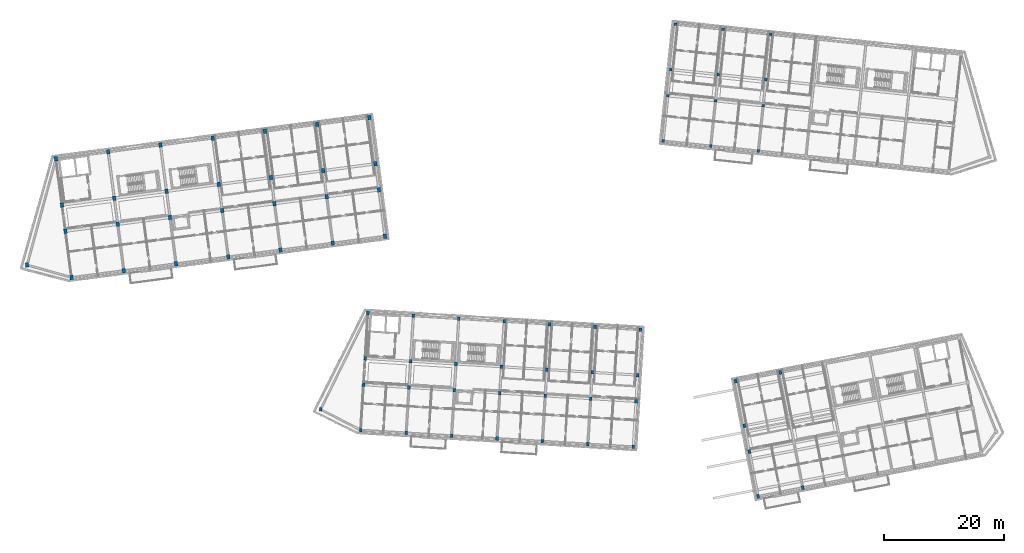
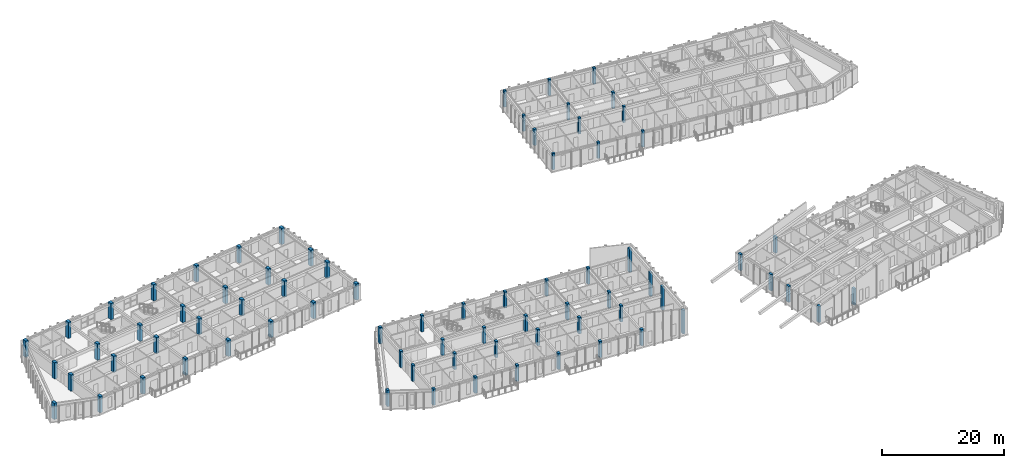
# One storey, part 1 of 64: 76 columns.
"""IFC4 building model written with IfcOpenShell, lengths in metres."""

from ifc_helpers import new_model, si_unit, direction, frame, origin, origin_2d, place, context, subcontext, project, spatial, rectangle, extrude, material, material_profile, profile_set, type_object, element, save


model = new_model("IFC4")

# Units and contexts
model_context = context("Model", 3, precision=1e-05, world=origin(), true_north=direction((0.0, 1.0)))
body_context = subcontext(model_context, "Body", "Model", "MODEL_VIEW")
ifc_project = project(units=[si_unit("LENGTHUNIT", "METRE"), si_unit("AREAUNIT", "SQUARE_METRE"), si_unit("VOLUMEUNIT", "CUBIC_METRE"), si_unit("PLANEANGLEUNIT", "RADIAN"), si_unit("MASSUNIT", "GRAM", prefix="KILO")], contexts=[model_context])

# Site, building, storey
site_placement = place(None, origin())
site = spatial("IfcSite", under=ifc_project, at=site_placement, CompositionType="ELEMENT")
building_placement = place(site_placement, origin())
building = spatial("IfcBuilding", under=site, at=building_placement, Name="Kestramere Prow Commons", CompositionType="ELEMENT")
storey_placement = place(building_placement, frame((0.0, 0.0, 24.64990234375)))
storey = spatial("IfcBuildingStorey", under=building, at=storey_placement, Name="L07", CompositionType="ELEMENT", Elevation=24.64990234375)

# Columns
ifc_material = material(Name="Precast concrete C40/50", Category="concrete")
ifc_material_profile_1 = material_profile(ifc_material, rectangle(XDim=0.550048828125, YDim=0.75, at=origin_2d()), Name="PC-COL 550x750")
ifc_profile_set_1 = profile_set([ifc_material_profile_1], Name="Precast concrete C40/50")
column_type_1 = type_object("IfcColumnType", Name="C-A2 PC-COL 550x750", PredefinedType="COLUMN", material=ifc_profile_set_1)
for number, where, z_axis, x_axis, name in (
    (1, (11.199951171875, 72.0, 0.0), (0.0, 0.0, 1.0), (0.991444861374, 0.13052619222, 0.0), "Block A L07 Column 1-1"),
    (2, (10.181884765625, 79.733154296875, 0.0), (0.0, 0.0, 1.0), (0.991444861374, 0.13052619222, 0.0), "Block A L07 Column 1-2"),
    (3, (9.607666015625, 84.095703125, 0.0), (0.0, 0.0, 1.0), (0.991444861374, 0.13052619222, 0.0), "Block A L07 Column 1-3"),
    (4, (8.58935546875, 91.828857421875, 0.0), (0.0, 0.0, 1.0), (0.991444861374, 0.13052619222, 0.0), "Block A L07 Column 1-4"),
    (5, (19.9248046875, 73.148681640625, 0.0), (0.0, 0.0, 1.0), (0.991444861374, 0.13052619222, 0.0), "Block A L07 Column 2-1"),
    (6, (18.906494140625, 80.8818359375, 0.0), (0.0, 0.0, 1.0), (0.991444861374, 0.13052619222, 0.0), "Block A L07 Column 2-2"),
    (7, (18.332275390625, 85.244140625, 0.0), (0.0, 0.0, 1.0), (0.991444861374, 0.13052619222, 0.0), "Block A L07 Column 2-3"),
    (8, (17.314208984375, 92.9775390625, 0.0), (0.0, 0.0, 1.0), (0.991444861374, 0.13052619222, 0.0), "Block A L07 Column 2-4"),
    (9, (28.6494140625, 74.29736328125, 0.0), (0.0, 0.0, 1.0), (0.991444861374, 0.13052619222, 0.0), "Block A L07 Column 3-1"),
    (10, (27.63134765625, 82.030517578125, 0.0), (0.0, 0.0, 1.0), (0.991444861374, 0.13052619222, 0.0), "Block A L07 Column 3-2"),
    (11, (27.05712890625, 86.392822265625, 0.0), (0.0, 0.0, 1.0), (0.991444861374, 0.13052619222, 0.0), "Block A L07 Column 3-3"),
    (12, (26.038818359375, 94.126220703125, 0.0), (0.0, 0.0, 1.0), (0.991444861374, 0.13052619222, 0.0), "Block A L07 Column 3-4"),
    (13, (37.3740234375, 75.44580078125, 0.0), (0.0, 0.0, 1.0), (0.991444861374, 0.13052619222, 0.0), "Block A L07 Column 4-1"),
    (14, (36.35595703125, 83.17919921875, 0.0), (0.0, 0.0, 1.0), (0.991444861374, 0.13052619222, 0.0), "Block A L07 Column 4-2"),
    (15, (35.78173828125, 87.54150390625, 0.0), (0.0, 0.0, 1.0), (0.991444861374, 0.13052619222, 0.0), "Block A L07 Column 4-3"),
    (16, (34.763671875, 95.27490234375, 0.0), (0.0, 0.0, 1.0), (0.991444861374, 0.13052619222, 0.0), "Block A L07 Column 4-4"),
    (17, (46.098876953125, 76.594482421875, 0.0), (0.0, 0.0, 1.0), (0.991444861374, 0.13052619222, 0.0), "Block A L07 Column 5-1"),
    (18, (45.080810546875, 84.327880859375, 0.0), (0.0, 0.0, 1.0), (0.991444861374, 0.13052619222, 0.0), "Block A L07 Column 5-2"),
    (19, (44.50634765625, 88.690185546875, 0.0), (0.0, 0.0, 1.0), (0.991444861374, 0.13052619222, 0.0), "Block A L07 Column 5-3"),
    (20, (43.48828125, 96.42333984375, 0.0), (0.0, 0.0, 1.0), (0.991444861374, 0.13052619222, 0.0), "Block A L07 Column 5-4"),
    (21, (54.823486328125, 77.7431640625, 0.0), (0.0, 0.0, 1.0), (0.991444861374, 0.13052619222, 0.0), "Block A L07 Column 6-1"),
    (22, (53.805419921875, 85.476318359375, 0.0), (0.0, 0.0, 1.0), (0.991444861374, 0.13052619222, 0.0), "Block A L07 Column 6-2"),
    (23, (53.231201171875, 89.8388671875, 0.0), (0.0, 0.0, 1.0), (0.991444861374, 0.13052619222, 0.0), "Block A L07 Column 6-3"),
    (24, (52.213134765625, 97.572021484375, 0.0), (0.0, 0.0, 1.0), (0.991444861374, 0.13052619222, 0.0), "Block A L07 Column 6-4"),
    (25, (63.54833984375, 78.891845703125, 0.0), (0.0, 0.0, 1.0), (0.991444861374, 0.13052619222, 0.0), "Block A L07 Column 7-1"),
    (26, (62.5302734375, 86.625, 0.0), (0.0, 0.0, 1.0), (0.991444861374, 0.13052619222, 0.0), "Block A L07 Column 7-2"),
    (27, (61.955810546875, 90.9873046875, 0.0), (0.0, 0.0, 1.0), (0.991444861374, 0.13052619222, 0.0), "Block A L07 Column 7-3"),
    (28, (60.937744140625, 98.720703125, 0.0), (0.0, 0.0, 1.0), (0.991444861374, 0.13052619222, 0.0), "Block A L07 Column 7-4"),
    (29, (3.7626953125, 74.09716796875, 0.0), (0.0, 0.0, 1.0), (0.991444861374, 0.13052619222, 0.0), "Block A L07 Prow Apex Column"),
):
    element("IfcColumn", number, at=place(storey_placement, frame(where, z_axis=z_axis, x_axis=x_axis)), inside=storey, type_object=column_type_1, Name=name, PredefinedType="COLUMN", context=body_context, shape_type="SweptSolid", body=[
        extrude(rectangle(XDim=0.550048828125, YDim=0.75, at=origin_2d()), origin(), (0.0, 0.0, 1.0), 3.25),
    ])
ifc_material_profile_2 = material_profile(ifc_material, rectangle(XDim=0.449951171875, YDim=0.449951171875, at=origin_2d()), Name="PC-COL 450x450")
ifc_profile_set_2 = profile_set([ifc_material_profile_2], Name="Precast concrete C40/50")
column_type_2 = type_object("IfcColumnType", Name="C-B3 PC-COL 450x450", PredefinedType="COLUMN", material=ifc_profile_set_2)
for number, where, z_axis, x_axis, name in (
    (30, (110.0, 94.800048828125, 0.0), (0.0, 0.0, 1.0), (0.994521895368, -0.104528463268, 0.0), "Block B L07 Column 1-1"),
    (31, (110.79443359375, 102.3583984375, 0.0), (0.0, 0.0, 1.0), (0.994521895368, -0.104528463268, 0.0), "Block B L07 Column 1-2"),
    (32, (111.25439453125, 106.734375, 0.0), (0.0, 0.0, 1.0), (0.994521895368, -0.104528463268, 0.0), "Block B L07 Column 1-3"),
    (33, (112.048828125, 114.292724609375, 0.0), (0.0, 0.0, 1.0), (0.994521895368, -0.104528463268, 0.0), "Block B L07 Column 1-4"),
    (34, (117.9560546875, 93.9638671875, 0.0), (0.0, 0.0, 1.0), (0.994521895368, -0.104528463268, 0.0), "Block B L07 Column 2-1"),
    (35, (118.75048828125, 101.522216796875, 0.0), (0.0, 0.0, 1.0), (0.994521895368, -0.104528463268, 0.0), "Block B L07 Column 2-2"),
    (36, (119.21044921875, 105.89794921875, 0.0), (0.0, 0.0, 1.0), (0.994521895368, -0.104528463268, 0.0), "Block B L07 Column 2-3"),
    (37, (120.0048828125, 113.456298828125, 0.0), (0.0, 0.0, 1.0), (0.994521895368, -0.104528463268, 0.0), "Block B L07 Column 2-4"),
    (38, (125.912353515625, 93.12744140625, 0.0), (0.0, 0.0, 1.0), (0.994521895368, -0.104528463268, 0.0), "Block B L07 Column 3-1"),
    (39, (126.706787109375, 100.685791015625, 0.0), (0.0, 0.0, 1.0), (0.994521895368, -0.104528463268, 0.0), "Block B L07 Column 3-2"),
    (40, (127.166748046875, 105.061767578125, 0.0), (0.0, 0.0, 1.0), (0.994521895368, -0.104528463268, 0.0), "Block B L07 Column 3-3"),
    (41, (127.961181640625, 112.6201171875, 0.0), (0.0, 0.0, 1.0), (0.994521895368, -0.104528463268, 0.0), "Block B L07 Column 3-4"),
):
    element("IfcColumn", number, at=place(storey_placement, frame(where, z_axis=z_axis, x_axis=x_axis)), inside=storey, type_object=column_type_2, Name=name, PredefinedType="COLUMN", context=body_context, shape_type="SweptSolid", body=[
        extrude(rectangle(XDim=0.449951171875, YDim=0.449951171875, at=origin_2d()), origin(), (0.0, 0.0, 1.0), 3.25),
    ])
ifc_material_profile_3 = material_profile(ifc_material, rectangle(XDim=0.449951171875, YDim=0.60009765625, at=origin_2d()), Name="PC-COL 450x600")
ifc_profile_set_3 = profile_set([ifc_material_profile_3], Name="Precast concrete C40/50")
column_type_3 = type_object("IfcColumnType", Name="C-C3 PC-COL 450x600", PredefinedType="COLUMN", material=ifc_profile_set_3)
for number, where, z_axis, x_axis, name in (
    (42, (59.5, 46.5, 0.0), (0.0, 0.0, 1.0), (0.998134798422, -0.061048539535, 0.0), "Block C L07 Column 1-1"),
    (43, (59.9638671875, 54.0859375, 0.0), (0.0, 0.0, 1.0), (0.998134798422, -0.061048539535, 0.0), "Block C L07 Column 1-2"),
    (44, (60.232666015625, 58.4775390625, 0.0), (0.0, 0.0, 1.0), (0.998134798422, -0.061048539535, 0.0), "Block C L07 Column 1-3"),
    (45, (60.696533203125, 66.0634765625, 0.0), (0.0, 0.0, 1.0), (0.998134798422, -0.061048539535, 0.0), "Block C L07 Column 1-4"),
    (46, (67.0859375, 46.0361328125, 0.0), (0.0, 0.0, 1.0), (0.998134798422, -0.061048539535, 0.0), "Block C L07 Column 2-1"),
    (47, (67.5498046875, 53.621826171875, 0.0), (0.0, 0.0, 1.0), (0.998134798422, -0.061048539535, 0.0), "Block C L07 Column 2-2"),
    (48, (67.818359375, 58.013671875, 0.0), (0.0, 0.0, 1.0), (0.998134798422, -0.061048539535, 0.0), "Block C L07 Column 2-3"),
    (49, (68.282470703125, 65.599365234375, 0.0), (0.0, 0.0, 1.0), (0.998134798422, -0.061048539535, 0.0), "Block C L07 Column 2-4"),
    (50, (74.671630859375, 45.572021484375, 0.0), (0.0, 0.0, 1.0), (0.998134798422, -0.061048539535, 0.0), "Block C L07 Column 3-1"),
    (51, (75.135498046875, 53.157958984375, 0.0), (0.0, 0.0, 1.0), (0.998134798422, -0.061048539535, 0.0), "Block C L07 Column 3-2"),
    (52, (75.404296875, 57.549560546875, 0.0), (0.0, 0.0, 1.0), (0.998134798422, -0.061048539535, 0.0), "Block C L07 Column 3-3"),
    (53, (75.8681640625, 65.135498046875, 0.0), (0.0, 0.0, 1.0), (0.998134798422, -0.061048539535, 0.0), "Block C L07 Column 3-4"),
    (54, (82.257568359375, 45.108154296875, 0.0), (0.0, 0.0, 1.0), (0.998134798422, -0.061048539535, 0.0), "Block C L07 Column 4-1"),
    (55, (82.721435546875, 52.69384765625, 0.0), (0.0, 0.0, 1.0), (0.998134798422, -0.061048539535, 0.0), "Block C L07 Column 4-2"),
    (56, (82.989990234375, 57.085693359375, 0.0), (0.0, 0.0, 1.0), (0.998134798422, -0.061048539535, 0.0), "Block C L07 Column 4-3"),
    (57, (83.4541015625, 64.671630859375, 0.0), (0.0, 0.0, 1.0), (0.998134798422, -0.061048539535, 0.0), "Block C L07 Column 4-4"),
    (58, (89.84326171875, 44.64404296875, 0.0), (0.0, 0.0, 1.0), (0.998134798422, -0.061048539535, 0.0), "Block C L07 Column 5-1"),
    (59, (90.307373046875, 52.22998046875, 0.0), (0.0, 0.0, 1.0), (0.998134798422, -0.061048539535, 0.0), "Block C L07 Column 5-2"),
    (60, (90.575927734375, 56.621826171875, 0.0), (0.0, 0.0, 1.0), (0.998134798422, -0.061048539535, 0.0), "Block C L07 Column 5-3"),
    (61, (91.039794921875, 64.20751953125, 0.0), (0.0, 0.0, 1.0), (0.998134798422, -0.061048539535, 0.0), "Block C L07 Column 5-4"),
    (62, (97.42919921875, 44.18017578125, 0.0), (0.0, 0.0, 1.0), (0.998134798422, -0.061048539535, 0.0), "Block C L07 Column 6-1"),
    (63, (97.89306640625, 51.765869140625, 0.0), (0.0, 0.0, 1.0), (0.998134798422, -0.061048539535, 0.0), "Block C L07 Column 6-2"),
    (64, (98.16162109375, 56.15771484375, 0.0), (0.0, 0.0, 1.0), (0.998134798422, -0.061048539535, 0.0), "Block C L07 Column 6-3"),
    (65, (98.625732421875, 63.74365234375, 0.0), (0.0, 0.0, 1.0), (0.998134798422, -0.061048539535, 0.0), "Block C L07 Column 6-4"),
):
    element("IfcColumn", number, at=place(storey_placement, frame(where, z_axis=z_axis, x_axis=x_axis)), inside=storey, type_object=column_type_3, Name=name, PredefinedType="COLUMN", context=body_context, shape_type="SweptSolid", body=[
        extrude(rectangle(XDim=0.449951171875, YDim=0.60009765625, at=origin_2d()), origin(), (0.0, 0.0, 1.0), 3.25),
    ])
for number, where, z_axis, x_axis, name in (
    (66, (105.014892578125, 43.71630859375, 0.0), (0.0, 0.0, 1.0), (0.998134798422, -0.061048539535, 0.0), "Block C L07 Column 7-1"),
    (67, (105.47900390625, 51.302001953125, 0.0), (0.0, 0.0, 1.0), (0.998134798422, -0.061048539535, 0.0), "Block C L07 Column 7-2"),
    (68, (105.74755859375, 55.69384765625, 0.0), (0.0, 0.0, 1.0), (0.998134798422, -0.061048539535, 0.0), "Block C L07 Column 7-3"),
    (69, (106.21142578125, 63.279541015625, 0.0), (0.0, 0.0, 1.0), (0.998134798422, -0.061048539535, 0.0), "Block C L07 Column 7-4"),
):
    element("IfcColumn", number, at=place(storey_placement, frame(where, z_axis=z_axis, x_axis=x_axis)), inside=storey, type_object=column_type_3, Name=name, PredefinedType="COLUMN", context=body_context, shape_type="SweptSolid", body=[
        extrude(rectangle(XDim=0.449951171875, YDim=0.60009765625, at=origin_2d()), origin(), (0.0, 0.0, 1.0), 4.701171875),
    ])
column_placement = place(storey_placement, frame((52.799072265625, 49.965576171875, 0.0), z_axis=(0.0, 0.0, 1.0), x_axis=(0.998134798422, -0.061048539535, 0.0)))
element("IfcColumn", 70, at=column_placement, inside=storey, type_object=column_type_3, Name="Block C L07 Prow Apex Column", PredefinedType="COLUMN", context=body_context, shape_type="SweptSolid", body=[
    extrude(rectangle(XDim=0.449951171875, YDim=0.60009765625, at=origin_2d()), origin(), (0.0, 0.0, 1.0), 3.25),
])
ifc_material_profile_4 = material_profile(ifc_material, rectangle(XDim=0.449951171875, YDim=0.64990234375, at=origin_2d()), Name="PC-COL 450x650")
ifc_profile_set_4 = profile_set([ifc_material_profile_4], Name="Precast concrete C40/50")
column_type_4 = type_object("IfcColumnType", Name="C-D3 PC-COL 450x650", PredefinedType="COLUMN", material=ifc_profile_set_4)
for number, where, z_axis, x_axis, name in (
    (71, (125.8603515625, 35.4501953125, 0.0), (0.0, 0.0, 1.0), (0.981627183448, 0.190808995377, 0.0), "Block D L07 Column 2-1"),
    (72, (124.41015625, 42.910400390625, 0.0), (0.0, 0.0, 1.0), (0.981627183448, 0.190808995377, 0.0), "Block D L07 Column 2-2"),
    (73, (123.570556640625, 47.229736328125, 0.0), (0.0, 0.0, 1.0), (0.981627183448, 0.190808995377, 0.0), "Block D L07 Column 2-3"),
    (74, (122.12060546875, 54.68994140625, 0.0), (0.0, 0.0, 1.0), (0.981627183448, 0.190808995377, 0.0), "Block D L07 Column 2-4"),
    (75, (133.32080078125, 36.900390625, 0.0), (0.0, 0.0, 1.0), (0.981627183448, 0.190808995377, 0.0), "Block D L07 Column 3-1"),
    (76, (129.580810546875, 56.14013671875, 0.0), (0.0, 0.0, 1.0), (0.981627183448, 0.190808995377, 0.0), "Block D L07 Column 3-4"),
):
    element("IfcColumn", number, at=place(storey_placement, frame(where, z_axis=z_axis, x_axis=x_axis)), inside=storey, type_object=column_type_4, Name=name, PredefinedType="COLUMN", context=body_context, shape_type="SweptSolid", body=[
        extrude(rectangle(XDim=0.449951171875, YDim=0.64990234375, at=origin_2d()), origin(), (0.0, 0.0, 1.0), 3.25),
    ])

save(model, "model.ifc")
